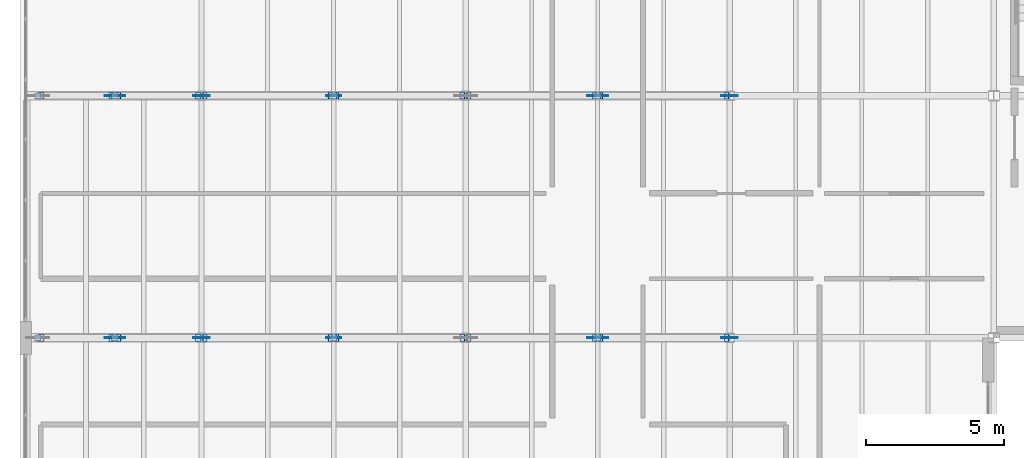
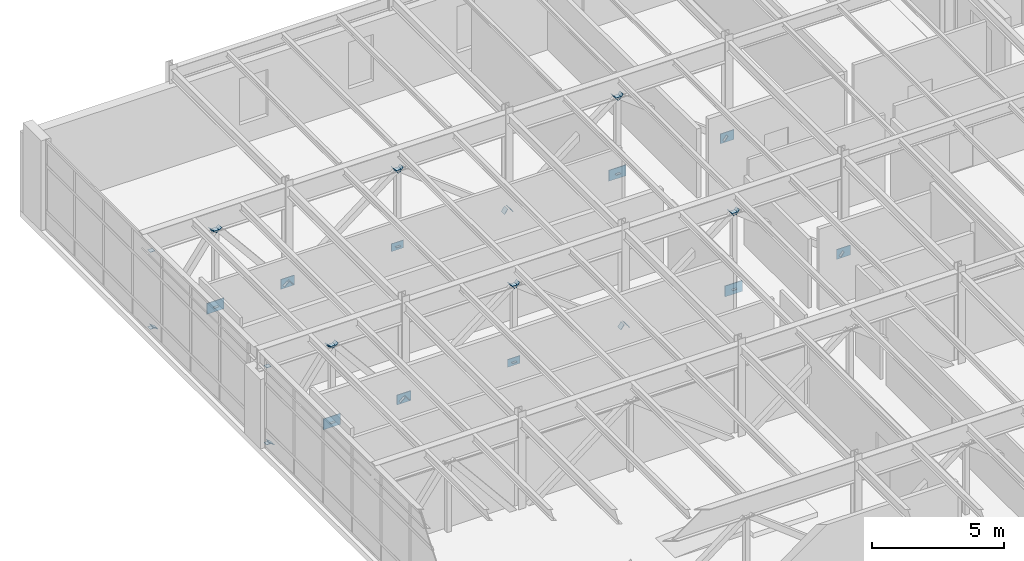
# One storey, part 66 of 88: 50 plates.
"""IFC4 building model written with IfcOpenShell, lengths in metres."""

import ifcopenshell
import ifcopenshell.guid

model = None  # the IFC model being written
_history = None  # IfcOwnerHistory: only IFC2X3 demands one
_inside = {}  # id of a spatial element -> (the spatial element, [elements in it])
_under = {}  # id of a project, library or spatial element -> (it, [spatial elements below it])
_declared = {}  # id of a project -> (the project, [libraries it declares])
_typed = {}  # id of a type object -> (the type object, [elements of that type])
_made_of = {}  # id of a material, layer set ... -> (it, [elements and type objects made of it])


def new_model(schema):
    """Start an empty IFC model of exactly this schema.

    Asked for "IFC4X3", IfcOpenShell would pick the latest addendum, in which some entities
    have other attributes; the version numbers below select the first issue.
    IFC2X3 requires an IfcOwnerHistory on every rooted entity: one is made here for all.
    """
    global model, _history
    if schema == "IFC4X3":
        model = ifcopenshell.file(schema_version=(4, 3, 0, 0))
    else:
        model = ifcopenshell.file(schema=schema)
    _inside.clear()
    _under.clear()
    _declared.clear()
    _typed.clear()
    _made_of.clear()
    _history = None
    if model.schema == "IFC2X3":
        org = make("IfcOrganization", Name="unknown")
        user = make(
            "IfcPersonAndOrganization",
            ThePerson=make("IfcPerson", FamilyName="unknown"),
            TheOrganization=org,
        )
        app = make(
            "IfcApplication",
            ApplicationDeveloper=org,
            Version="unknown",
            ApplicationFullName="unknown",
            ApplicationIdentifier="unknown",
        )
        _history = make(
            "IfcOwnerHistory",
            OwningUser=user,
            OwningApplication=app,
            ChangeAction="ADDED",
            CreationDate=0,
        )
    return model


def make(cls, **values):
    """One entity of the class cls with the attributes given. An attribute that is None is left unset."""
    return model.create_entity(
        cls, **{name: value for name, value in values.items() if value is not None}
    )


def rooted(cls, **values):
    """An entity with a GlobalId (a new one), such as an element, a storey or a relation."""
    return make(cls, GlobalId=ifcopenshell.guid.new(), OwnerHistory=_history, **values)


def si_unit(unit_type, name, prefix=None):
    """IfcSIUnit, for example si_unit("LENGTHUNIT", "METRE", prefix="MILLI")."""
    return make("IfcSIUnit", UnitType=unit_type, Prefix=prefix, Name=name)


def assignment(units):
    """IfcUnitAssignment: the units of a project."""
    return None if units is None else make("IfcUnitAssignment", Units=units)


def point(xyz):
    """IfcCartesianPoint."""
    return None if xyz is None else make("IfcCartesianPoint", Coordinates=xyz)


def direction(xyz):
    """IfcDirection."""
    return None if xyz is None else make("IfcDirection", DirectionRatios=xyz)


def frame(location, z_axis=None, x_axis=None):
    """IfcAxis2Placement3D, a coordinate frame: its origin and axes. An axis left out is left unset."""
    return make(
        "IfcAxis2Placement3D",
        Location=point(location),
        Axis=direction(z_axis),
        RefDirection=direction(x_axis),
    )


def frame_2d(location, x_axis=None):
    """IfcAxis2Placement2D, a coordinate frame in the plane: its origin and x axis."""
    return make(
        "IfcAxis2Placement2D", Location=point(location), RefDirection=direction(x_axis)
    )


def origin():
    """The frame at (0, 0, 0) with its axes left unset."""
    return frame((0.0, 0.0, 0.0))


def origin_2d():
    """The frame at (0, 0) in the plane with its x axis left unset."""
    return frame_2d((0.0, 0.0))


def place(relative_to, where):
    """IfcLocalPlacement: puts the frame where relative to a parent placement (None: the world)."""
    return make(
        "IfcLocalPlacement", PlacementRelTo=relative_to, RelativePlacement=where
    )


def context(
    kind, dimensions, precision=None, world=None, true_north=None, identifier=None
):
    """IfcGeometricRepresentationContext, for example the 3D "Model" context."""
    return make(
        "IfcGeometricRepresentationContext",
        ContextIdentifier=identifier,
        ContextType=kind,
        CoordinateSpaceDimension=dimensions,
        Precision=precision,
        WorldCoordinateSystem=world,
        TrueNorth=true_north,
    )


def subcontext(parent, identifier, kind, view, scale=None):
    """IfcGeometricRepresentationSubContext, for example "Body" below "Model"."""
    return make(
        "IfcGeometricRepresentationSubContext",
        ContextIdentifier=identifier,
        ContextType=kind,
        ParentContext=parent,
        TargetScale=scale,
        TargetView=view,
    )


def project(units=None, contexts=None):
    """IfcProject with its units and contexts."""
    return rooted(
        "IfcProject",
        Name="project",
        RepresentationContexts=contexts,
        UnitsInContext=assignment(units),
    )


def spatial(cls, under=None, at=None, **own):
    """A site, building, storey or space (cls), placed at a placement, below another one or the project."""
    s = rooted(cls, ObjectPlacement=at, **own)
    if under is not None:
        _under.setdefault(under.id(), (under, []))[1].append(s)
    return s


def profile(cls, at=None, kind="AREA", **sizes):
    """A parametric profile (cls). Its sizes go by their IFC names, for example OverallWidth=200.0."""
    return make(cls, ProfileType=kind, Position=at, **sizes)


def rectangle(**sizes):
    """IfcRectangleProfileDef."""
    return profile("IfcRectangleProfileDef", **sizes)


def extrude(swept, where, along, depth):
    """IfcExtrudedAreaSolid: the profile swept, set in the frame where, extruded along a direction by depth."""
    return make(
        "IfcExtrudedAreaSolid",
        SweptArea=swept,
        Position=where,
        ExtrudedDirection=direction(along),
        Depth=depth,
    )


def shape(context_of_items, identifier, shape_type, items):
    """IfcShapeRepresentation: the items that make up one representation, for example the "Body"."""
    return make(
        "IfcShapeRepresentation",
        ContextOfItems=context_of_items,
        RepresentationIdentifier=identifier,
        RepresentationType=shape_type,
        Items=items,
    )


def material(Name=None, Category=None):
    """IfcMaterial."""
    return make("IfcMaterial", Name=Name, Category=Category)


def layer(
    of_material, thickness, ventilated=None, Name=None, Category=None, Priority=None
):
    """IfcMaterialLayer: one layer of a wall or slab, of a material (None: an air gap)."""
    return make(
        "IfcMaterialLayer",
        Material=of_material,
        LayerThickness=thickness,
        IsVentilated=ventilated,
        Name=Name,
        Category=Category,
        Priority=Priority,
    )


def layer_set(layers, Name=None):
    """IfcMaterialLayerSet."""
    return make("IfcMaterialLayerSet", MaterialLayers=layers, LayerSetName=Name)


def made_of(thing, what):
    """Note that an element or type object is made of a material, layer set ...; save() writes the relation."""
    if what is not None:
        _made_of.setdefault(what.id(), (what, []))[1].append(thing)
    return thing


def type_object(cls, material=None, **own):
    """A type object (cls), such as IfcWallType, which elements share."""
    return made_of(rooted(cls, **own), material)


def element(
    cls,
    number,
    at=None,
    inside=None,
    cuts=None,
    type_object=None,
    material=None,
    context=None,
    identifier="Body",
    shape_type=None,
    held_by="IfcProductDefinitionShape",
    body=None,
    shapes=None,
    **own,
):
    """One element of the class cls, such as IfcWall. Its Tag is "e" and its number.

    at: its placement. inside: the storey or other place that contains it. cuts: it is an
    opening in that element (IfcRelVoidsElement). A single representation is given by context,
    identifier, shape_type and body (its items); several are given by shapes. held_by: the class
    of the entity that holds the representations. save() writes the other relations.
    """
    e = rooted(cls, Tag="e%d" % number, ObjectPlacement=at, **own)
    if body is not None:
        shapes = [shape(context, identifier, shape_type, body)]
    if shapes is not None:
        e.Representation = make(held_by, Representations=shapes)
    if inside is not None:
        _inside.setdefault(inside.id(), (inside, []))[1].append(e)
    if cuts is not None:
        rooted(
            "IfcRelVoidsElement", RelatingBuildingElement=cuts, RelatedOpeningElement=e
        )
    if type_object is not None:
        _typed.setdefault(type_object.id(), (type_object, []))[1].append(e)
    return made_of(e, material)


def aggregate(whole, parts):
    """IfcRelAggregates: a whole, such as a stair, and the parts it consists of."""
    return rooted("IfcRelAggregates", RelatingObject=whole, RelatedObjects=parts)


def save(model, path):
    """Write the relations noted so far, then the file.

    IfcRelAggregates (storeys below a building ...), IfcRelContainedInSpatialStructure (elements
    in a storey), IfcRelDefinesByType, IfcRelAssociatesMaterial and IfcRelDeclares: one each for
    every whole, place, type object, material and project.
    """
    for whole, parts in _under.values():
        aggregate(whole, parts)
    for where, things in _inside.values():
        rooted(
            "IfcRelContainedInSpatialStructure",
            RelatedElements=things,
            RelatingStructure=where,
        )
    for kind, things in _typed.values():
        rooted("IfcRelDefinesByType", RelatedObjects=things, RelatingType=kind)
    for what, things in _made_of.values():
        rooted("IfcRelAssociatesMaterial", RelatedObjects=things, RelatingMaterial=what)
    for by, libraries in _declared.values():
        rooted("IfcRelDeclares", RelatingContext=by, RelatedDefinitions=libraries)
    model.write(path)


model = new_model("IFC4")

# Units and contexts
model_context = context("Model", 3, precision=1e-05, world=origin(), true_north=direction((0.0, 1.0)))
body_context = subcontext(model_context, "Body", "Model", "MODEL_VIEW")
ifc_project = project(units=[si_unit("LENGTHUNIT", "METRE"), si_unit("AREAUNIT", "SQUARE_METRE"), si_unit("VOLUMEUNIT", "CUBIC_METRE"), si_unit("PLANEANGLEUNIT", "RADIAN"), si_unit("MASSUNIT", "GRAM", prefix="KILO")], contexts=[model_context])

# Site, building, storey
site_placement = place(None, origin())
site = spatial("IfcSite", under=ifc_project, at=site_placement, CompositionType="ELEMENT")
building_placement = place(site_placement, origin())
building = spatial("IfcBuilding", under=site, at=building_placement, Name="Sarnbrook Museum", CompositionType="ELEMENT")
storey_placement = place(building_placement, frame((0.0, 0.0, 10.10009765625)))
storey = spatial("IfcBuildingStorey", under=building, at=storey_placement, Name="L02", CompositionType="ELEMENT", Elevation=10.10009765625)

# Plates
ifc_material = material(Name="Structural Steel Grade 350L0 (AS/NZS 3678, fy = 340 MPa for 20 < t <= 40 mm)", Category="steel")
ifc_layer_1 = layer(ifc_material, 0.01611328125)
ifc_layer_set_1 = layer_set([ifc_layer_1], Name="Structural Steel Grade 350L0 (AS/NZS 3678, fy = 340 MPa for 20 < t <= 40 mm)")
plate_type_1 = type_object("IfcPlateType", Name="EndCapPlate_CAP200", PredefinedType="USERDEFINED", material=ifc_layer_set_1)
for number, where, z_axis, x_axis, name in (
    (1, (28.0, 74.39990234375, -0.316162109375), (0.0, 0.0, 1.0), (1.0, 0.0, 0.0), "Hollow End Cap Plate TT:TT3:V1-1"),
    (2, (28.0, 74.39990234375, 3.23974609375), (0.0, 0.0, 1.0), (1.0, 0.0, 0.0), "Hollow End Cap Plate TT:TT3:V1-2"),
    (3, (18.39990234375, 74.39990234375, -0.316162109375), (0.0, 0.0, 1.0), (1.0, 0.0, 0.0), "Hollow End Cap Plate TT:TT3:V3-1"),
    (4, (18.39990234375, 74.39990234375, 3.23974609375), (0.0, 0.0, 1.0), (1.0, 0.0, 0.0), "Hollow End Cap Plate TT:TT3:V3-2"),
    (5, (10.449951171875, 74.39990234375, -0.316162109375), (0.0, 0.0, 1.0), (1.0, 0.0, 0.0), "Hollow End Cap Plate TT:TT3:V5-1"),
    (6, (10.449951171875, 74.39990234375, 3.23974609375), (0.0, 0.0, 1.0), (1.0, 0.0, 0.0), "Hollow End Cap Plate TT:TT3:V5-2"),
    (7, (7.64990234375, 74.39990234375, -0.316162109375), (0.0, 0.0, 1.0), (1.0, 0.0, 0.0), "Hollow End Cap Plate TT:TT3:V6-1"),
    (8, (7.64990234375, 74.39990234375, 3.23974609375), (0.0, 0.0, 1.0), (1.0, 0.0, 0.0), "Hollow End Cap Plate TT:TT3:V6-2"),
    (9, (28.0, 83.199951171875, -0.316162109375), (0.0, 0.0, 1.0), (1.0, 0.0, 0.0), "Hollow End Cap Plate TT:TT4:V1-1"),
    (10, (28.0, 83.199951171875, 3.23974609375), (0.0, 0.0, 1.0), (1.0, 0.0, 0.0), "Hollow End Cap Plate TT:TT4:V1-2"),
    (11, (18.39990234375, 83.199951171875, -0.316162109375), (0.0, 0.0, 1.0), (1.0, 0.0, 0.0), "Hollow End Cap Plate TT:TT4:V3-1"),
    (12, (18.39990234375, 83.199951171875, 3.23974609375), (0.0, 0.0, 1.0), (1.0, 0.0, 0.0), "Hollow End Cap Plate TT:TT4:V3-2"),
    (13, (10.449951171875, 83.199951171875, -0.316162109375), (0.0, 0.0, 1.0), (1.0, 0.0, 0.0), "Hollow End Cap Plate TT:TT4:V5-1"),
    (14, (10.449951171875, 83.199951171875, 3.23974609375), (0.0, 0.0, 1.0), (1.0, 0.0, 0.0), "Hollow End Cap Plate TT:TT4:V5-2"),
    (15, (7.64990234375, 83.199951171875, -0.316162109375), (0.0, 0.0, 1.0), (1.0, 0.0, 0.0), "Hollow End Cap Plate TT:TT4:V6-1"),
    (16, (7.64990234375, 83.199951171875, 3.23974609375), (0.0, 0.0, 1.0), (1.0, 0.0, 0.0), "Hollow End Cap Plate TT:TT4:V6-2"),
):
    element("IfcPlate", number, at=place(storey_placement, frame(where, z_axis=z_axis, x_axis=x_axis)), inside=storey, type_object=plate_type_1, Name=name, ObjectType="END CAP PLATE", PredefinedType="USERDEFINED", context=body_context, shape_type="SweptSolid", body=[
        extrude(rectangle(XDim=0.199951171875, YDim=0.199951171875, at=origin_2d()), origin(), (0.0, 0.0, 1.0), 0.01611328125),
    ])
ifc_layer_2 = layer(ifc_material, 0.01611328125)
ifc_layer_set_2 = layer_set([ifc_layer_2], Name="Structural Steel Grade 350L0 (AS/NZS 3678, fy = 340 MPa for 20 < t <= 40 mm)")
plate_type_2 = type_object("IfcPlateType", Name="EndCapPlate_CAP250", PredefinedType="USERDEFINED", material=ifc_layer_set_2)
for number, where, z_axis, x_axis, name in (
    (17, (32.692626953125, 74.39990234375, -0.309814453125), (-0.789911543396, 0.0, 0.613220803308), (0.0, -1.0, 0.0), "Hollow End Cap Plate TT:TT3:D0-1"),
    (18, (28.1201171875, 74.39990234375, 3.239990234375), (-0.789911543396, 0.0, 0.613220803308), (0.0, -1.0, 0.0), "Hollow End Cap Plate TT:TT3:D0-2"),
    (19, (27.892578125, 74.39990234375, 3.249755859375), (-0.789911543396, 0.0, -0.613220803308), (0.0, -1.0, 0.0), "Hollow End Cap Plate TT:TT3:D1-1"),
    (20, (23.320068359375, 74.39990234375, -0.300048828125), (-0.789911543396, 0.0, -0.613220803308), (0.0, -1.0, 0.0), "Hollow End Cap Plate TT:TT3:D1-2"),
    (21, (23.0927734375, 74.39990234375, -0.309814453125), (-0.789911543396, 0.0, 0.613220803308), (0.0, -1.0, 0.0), "Hollow End Cap Plate TT:TT3:D2-1"),
    (22, (18.52001953125, 74.39990234375, 3.239990234375), (-0.789911543396, 0.0, 0.613220803308), (0.0, -1.0, 0.0), "Hollow End Cap Plate TT:TT3:D2-2"),
    (23, (18.292724609375, 74.39990234375, 3.249755859375), (-0.789911543396, 0.0, -0.613220803308), (0.0, -1.0, 0.0), "Hollow End Cap Plate TT:TT3:D3-1"),
    (24, (13.719970703125, 74.39990234375, -0.300048828125), (-0.789911543396, 0.0, -0.613220803308), (0.0, -1.0, 0.0), "Hollow End Cap Plate TT:TT3:D3-2"),
    (25, (13.490234375, 74.39990234375, -0.3125), (-0.635018596324, 0.0, 0.772496849394), (0.0, -1.0, 0.0), "Hollow End Cap Plate TT:TT3:D4-1"),
    (26, (10.570068359375, 74.39990234375, 3.239990234375), (-0.635018596324, 0.0, 0.772496849394), (0.0, -1.0, 0.0), "Hollow End Cap Plate TT:TT3:D4-2"),
    (27, (10.33935546875, 74.39990234375, 3.2529296875), (-0.585991893066, 0.0, -0.810316914091), (0.0, -1.0, 0.0), "Hollow End Cap Plate TT:TT3:D5-1"),
    (28, (7.77001953125, 74.39990234375, -0.300048828125), (-0.585991893066, 0.0, -0.810316914091), (0.0, -1.0, 0.0), "Hollow End Cap Plate TT:TT3:D5-2"),
    (29, (32.692626953125, 83.199951171875, -0.309814453125), (-0.789911543396, 0.0, 0.613220803308), (0.0, -1.0, 0.0), "Hollow End Cap Plate TT:TT4:D0-1"),
    (30, (28.1201171875, 83.199951171875, 3.239990234375), (-0.789911543396, 0.0, 0.613220803308), (0.0, -1.0, 0.0), "Hollow End Cap Plate TT:TT4:D0-2"),
    (31, (27.892578125, 83.199951171875, 3.249755859375), (-0.789911543396, 0.0, -0.613220803308), (0.0, -1.0, 0.0), "Hollow End Cap Plate TT:TT4:D1-1"),
    (32, (23.320068359375, 83.199951171875, -0.300048828125), (-0.789911543396, 0.0, -0.613220803308), (0.0, -1.0, 0.0), "Hollow End Cap Plate TT:TT4:D1-2"),
    (33, (23.0927734375, 83.199951171875, -0.309814453125), (-0.789911543396, 0.0, 0.613220803308), (0.0, -1.0, 0.0), "Hollow End Cap Plate TT:TT4:D2-1"),
    (34, (18.52001953125, 83.199951171875, 3.239990234375), (-0.789911543396, 0.0, 0.613220803308), (0.0, -1.0, 0.0), "Hollow End Cap Plate TT:TT4:D2-2"),
    (35, (18.292724609375, 83.199951171875, 3.249755859375), (-0.789911543396, 0.0, -0.613220803308), (0.0, -1.0, 0.0), "Hollow End Cap Plate TT:TT4:D3-1"),
    (36, (13.719970703125, 83.199951171875, -0.300048828125), (-0.789911543396, 0.0, -0.613220803308), (0.0, -1.0, 0.0), "Hollow End Cap Plate TT:TT4:D3-2"),
    (37, (13.490234375, 83.199951171875, -0.3125), (-0.635018596324, 0.0, 0.772496849394), (0.0, -1.0, 0.0), "Hollow End Cap Plate TT:TT4:D4-1"),
    (38, (10.570068359375, 83.199951171875, 3.239990234375), (-0.635018596324, 0.0, 0.772496849394), (0.0, -1.0, 0.0), "Hollow End Cap Plate TT:TT4:D4-2"),
    (39, (10.33935546875, 83.199951171875, 3.2529296875), (-0.585991893066, 0.0, -0.810316914091), (0.0, -1.0, 0.0), "Hollow End Cap Plate TT:TT4:D5-1"),
    (40, (7.77001953125, 83.199951171875, -0.300048828125), (-0.585991893066, 0.0, -0.810316914091), (0.0, -1.0, 0.0), "Hollow End Cap Plate TT:TT4:D5-2"),
):
    element("IfcPlate", number, at=place(storey_placement, frame(where, z_axis=z_axis, x_axis=x_axis)), inside=storey, type_object=plate_type_2, Name=name, ObjectType="END CAP PLATE", PredefinedType="USERDEFINED", context=body_context, shape_type="SweptSolid", body=[
        extrude(rectangle(XDim=0.25, YDim=0.25, at=origin_2d()), origin(), (0.0, 0.0, 1.0), 0.01611328125),
    ])
ifc_layer_3 = layer(ifc_material, 0.031982421875)
ifc_layer_set_3 = layer_set([ifc_layer_3], Name="Structural Steel Grade 350L0 (AS/NZS 3678, fy = 340 MPa for 20 < t <= 40 mm)")
plate_type_3 = type_object("IfcPlateType", Name="GussetPlate_KN1", PredefinedType="USERDEFINED", material=ifc_layer_set_3)
for number, where, z_axis, x_axis, name in (
    (41, (32.800048828125, 74.39990234375, -0.52490234375), (0.0, 0.0, 1.0), (1.0, 0.0, 0.0), "Transfer Truss Node Gusset Plate KN-1 TT3-B0"),
    (42, (13.60009765625, 74.39990234375, -0.52490234375), (0.0, 0.0, 1.0), (1.0, 0.0, 0.0), "Transfer Truss Node Gusset Plate KN-1 TT3-B4"),
    (43, (32.800048828125, 83.199951171875, -0.52490234375), (0.0, 0.0, 1.0), (1.0, 0.0, 0.0), "Transfer Truss Node Gusset Plate KN-1 TT4-B0"),
    (44, (13.60009765625, 83.199951171875, -0.52490234375), (0.0, 0.0, 1.0), (1.0, 0.0, 0.0), "Transfer Truss Node Gusset Plate KN-1 TT4-B4"),
):
    element("IfcPlate", number, at=place(storey_placement, frame(where, z_axis=z_axis, x_axis=x_axis)), inside=storey, type_object=plate_type_3, Name=name, ObjectType="GUSSET PLATE", PredefinedType="USERDEFINED", context=body_context, shape_type="SweptSolid", body=[
        extrude(rectangle(XDim=0.60009765625, YDim=0.031982421875, at=origin_2d()), origin(), (0.0, 0.0, 1.0), 0.449951171875),
    ])
ifc_layer_4 = layer(ifc_material, 0.031982421875)
ifc_layer_set_4 = layer_set([ifc_layer_4], Name="Structural Steel Grade 350L0 (AS/NZS 3678, fy = 340 MPa for 20 < t <= 40 mm)")
plate_type_4 = type_object("IfcPlateType", Name="GussetPlate_KN2", PredefinedType="USERDEFINED", material=ifc_layer_set_4)
for number, where, z_axis, x_axis, name in (
    (45, (28.0, 74.39990234375, -0.550048828125), (0.0, 0.0, 1.0), (1.0, 0.0, 0.0), "Transfer Truss Node Gusset Plate KN-2 TT3-B1"),
    (46, (10.449951171875, 74.39990234375, -0.550048828125), (0.0, 0.0, 1.0), (1.0, 0.0, 0.0), "Transfer Truss Node Gusset Plate KN-2 TT3-B5"),
    (47, (28.0, 83.199951171875, -0.550048828125), (0.0, 0.0, 1.0), (1.0, 0.0, 0.0), "Transfer Truss Node Gusset Plate KN-2 TT4-B1"),
    (48, (10.449951171875, 83.199951171875, -0.550048828125), (0.0, 0.0, 1.0), (1.0, 0.0, 0.0), "Transfer Truss Node Gusset Plate KN-2 TT4-B5"),
):
    element("IfcPlate", number, at=place(storey_placement, frame(where, z_axis=z_axis, x_axis=x_axis)), inside=storey, type_object=plate_type_4, Name=name, ObjectType="GUSSET PLATE", PredefinedType="USERDEFINED", context=body_context, shape_type="SweptSolid", body=[
        extrude(rectangle(XDim=0.75, YDim=0.031982421875, at=origin_2d()), origin(), (0.0, 0.0, 1.0), 0.5),
    ])
ifc_layer_5 = layer(ifc_material, 0.028076171875)
ifc_layer_set_5 = layer_set([ifc_layer_5], Name="Structural Steel Grade 350L0 (AS/NZS 3678, fy = 340 MPa for 20 < t <= 40 mm)")
plate_type_5 = type_object("IfcPlateType", Name="GussetPlate_KN4", PredefinedType="USERDEFINED", material=ifc_layer_set_5)
for number, where, z_axis, x_axis, name in (
    (49, (18.39990234375, 74.39990234375, -0.47998046875), (0.0, 0.0, 1.0), (1.0, 0.0, 0.0), "Transfer Truss Node Gusset Plate KN-4 TT3-B3"),
    (50, (18.39990234375, 83.199951171875, -0.47998046875), (0.0, 0.0, 1.0), (1.0, 0.0, 0.0), "Transfer Truss Node Gusset Plate KN-4 TT4-B3"),
):
    element("IfcPlate", number, at=place(storey_placement, frame(where, z_axis=z_axis, x_axis=x_axis)), inside=storey, type_object=plate_type_5, Name=name, ObjectType="GUSSET PLATE", PredefinedType="USERDEFINED", context=body_context, shape_type="SweptSolid", body=[
        extrude(rectangle(XDim=0.5400390625, YDim=0.028076171875, at=origin_2d()), origin(), (0.0, 0.0, 1.0), 0.360107421875),
    ])

save(model, "model.ifc")
